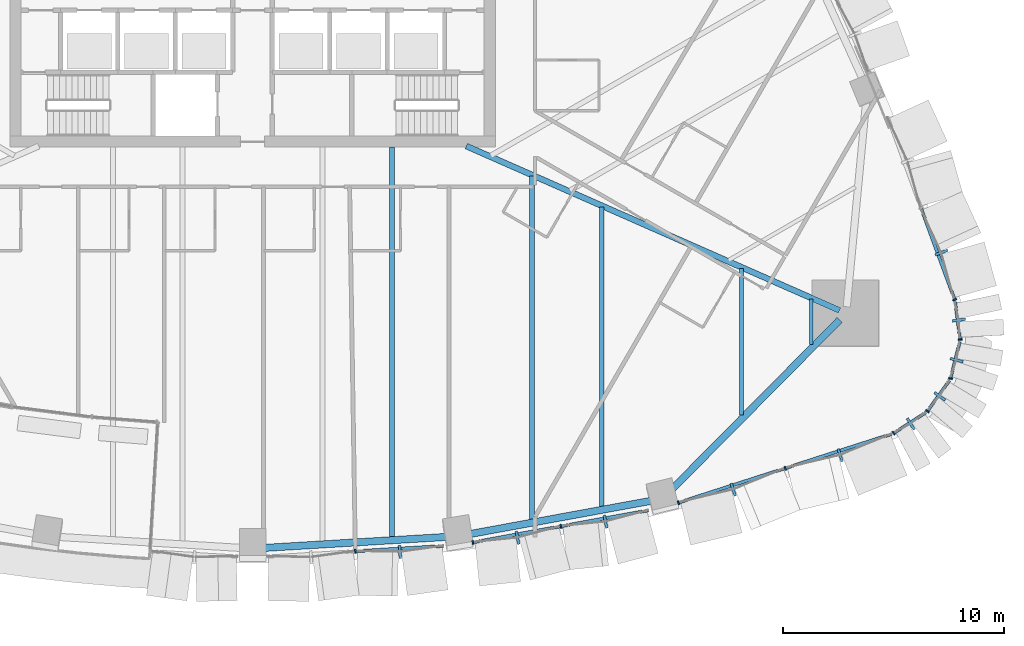
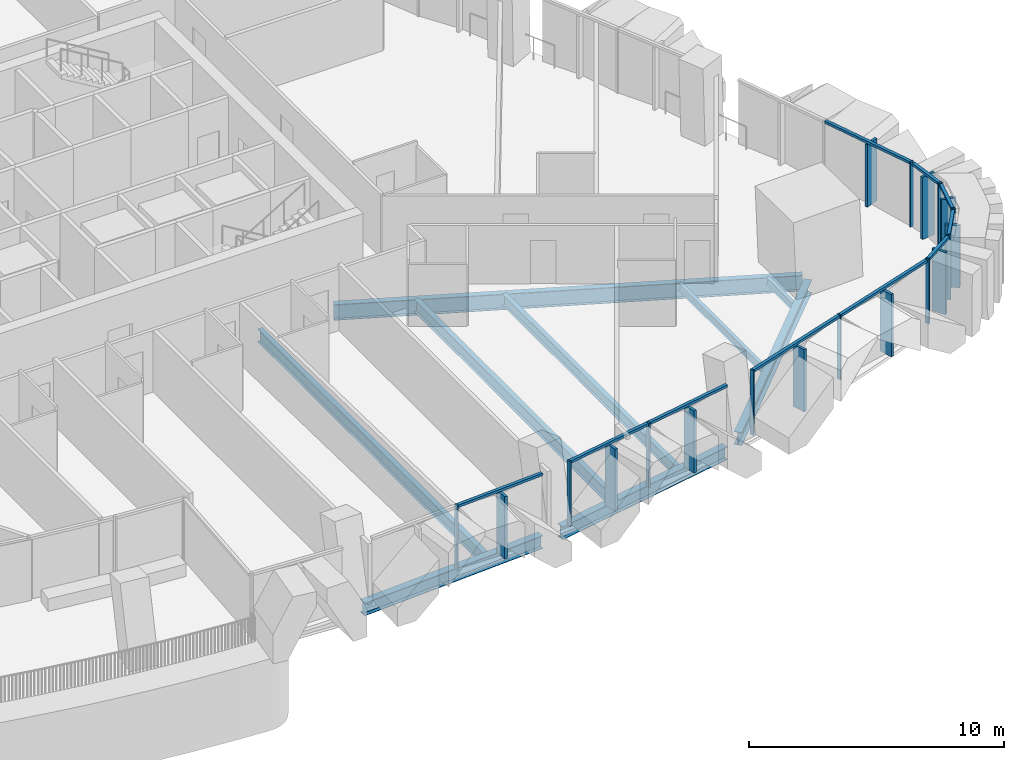
# One storey, part 4 of 24: 30 members, 9 beams, 8 elements without a shape of their own.
"""IFC4 building model written with IfcOpenShell, lengths in metres."""

from ifc_helpers import new_model, si_unit, direction, frame, origin, origin_2d, place, context, subcontext, project, spatial, rectangle, i_section, extrude, material, layer, layer_set, material_profile, profile_set, type_object, element, aggregate, save


model = new_model("IFC4")

# Units and contexts
model_context = context("Model", 3, precision=1e-05, world=origin(), true_north=direction((0.0, 1.0)))
body_context = subcontext(model_context, "Body", "Model", "MODEL_VIEW")
ifc_project = project(units=[si_unit("LENGTHUNIT", "METRE"), si_unit("AREAUNIT", "SQUARE_METRE"), si_unit("VOLUMEUNIT", "CUBIC_METRE"), si_unit("PLANEANGLEUNIT", "RADIAN"), si_unit("MASSUNIT", "GRAM", prefix="KILO")], contexts=[model_context])

# Site, building, storey
site_placement = place(None, origin())
site = spatial("IfcSite", under=ifc_project, at=site_placement, CompositionType="ELEMENT")
building_placement = place(site_placement, origin())
building = spatial("IfcBuilding", under=site, at=building_placement, Name="Sierra Prisma Convention Tower", CompositionType="ELEMENT")
storey_placement = place(building_placement, frame((0.0, 0.0, 59.10009765625)))
storey = spatial("IfcBuildingStorey", under=building, at=storey_placement, Name="L10", CompositionType="ELEMENT", Elevation=59.10009765625)

# Curtain wall, member
ifc_material_1 = material(Name="Aluminium and glass curtain wall", Category="aluminium")
ifc_layer = layer(ifc_material_1, 0.179931640625)
ifc_layer_set = layer_set([ifc_layer], Name="CW-2 Faceted crystal curtain wall")
curtain_wall_type = type_object("IfcCurtainWallType", Name="CW-2 Faceted crystal curtain wall", PredefinedType="NOTDEFINED", material=ifc_layer_set)
curtain_wall_1_placement = place(storey_placement, origin())
curtain_wall_1 = element("IfcCurtainWall", 1, at=curtain_wall_1_placement, inside=storey, type_object=curtain_wall_type, Name="CW-2 S4 L10", PredefinedType="NOTDEFINED")
ifc_material_2 = material(Name="Aluminium 6063-T6 bronze anodised", Category="aluminium")
ifc_material_profile_1 = material_profile(ifc_material_2, rectangle(XDim=0.1201171875, YDim=0.60009765625, at=origin_2d()), Name="ALU RIDGE BLADE 120x600")
ifc_profile_set_1 = profile_set([ifc_material_profile_1], Name="Aluminium 6063-T6 bronze anodised")
member_type_1 = type_object("IfcMemberType", Name="CW hip bronze", PredefinedType="MULLION", material=ifc_profile_set_1)
member_1_placement = place(storey_placement, frame((6.677734375, -26.350341796875, 0.0), z_axis=(0.0, 0.0, 1.0), x_axis=(0.998203551738, 0.059913848972, 0.0)))
member_1 = element("IfcMember", 2, at=member_1_placement, type_object=member_type_1, Name="CW-2 ridge S4.2", PredefinedType="MULLION", context=body_context, shape_type="SweptSolid", body=[
    extrude(rectangle(XDim=0.1201171875, YDim=0.60009765625, at=origin_2d()), origin(), (0.0, 0.0, 1.0), 2.97998046875),
])

# Curtain wall, members
curtain_wall_2_placement = place(storey_placement, origin())
curtain_wall_2 = element("IfcCurtainWall", 3, at=curtain_wall_2_placement, inside=storey, type_object=curtain_wall_type, Name="CW-2 S5 L10", PredefinedType="NOTDEFINED")
member_2_placement = place(storey_placement, frame((12.00830078125, -25.703857421875, 0.0), z_axis=(0.0, 0.0, 1.0), x_axis=(0.98376009957, 0.179488346403, 0.0)))
member_2 = element("IfcMember", 4, at=member_2_placement, type_object=member_type_1, Name="CW-2 ridge S5.1", PredefinedType="MULLION", context=body_context, shape_type="SweptSolid", body=[
    extrude(rectangle(XDim=0.1201171875, YDim=0.60009765625, at=origin_2d()), origin(), (0.0, 0.0, 1.0), 2.97998046875),
])
member_3_placement = place(storey_placement, frame((15.996826171875, -24.97607421875, 0.0), z_axis=(0.0, 0.0, 1.0), x_axis=(0.98376009957, 0.179488346403, 0.0)))
member_3 = element("IfcMember", 5, at=member_3_placement, type_object=member_type_1, Name="CW-2 ridge S5.2", PredefinedType="MULLION", context=body_context, shape_type="SweptSolid", body=[
    extrude(rectangle(XDim=0.1201171875, YDim=0.60009765625, at=origin_2d()), origin(), (0.0, 0.0, 1.0), 2.97998046875),
])

curtain_wall_3_placement = place(storey_placement, origin())
curtain_wall_3 = element("IfcCurtainWall", 6, at=curtain_wall_3_placement, inside=storey, type_object=curtain_wall_type, Name="CW-2 S6 L10", PredefinedType="NOTDEFINED")
member_4_placement = place(storey_placement, frame((21.784423828125, -23.522216796875, 0.0), z_axis=(0.0, 0.0, 1.0), x_axis=(0.95186807451, 0.306508023923, 0.0)))
member_4 = element("IfcMember", 7, at=member_4_placement, type_object=member_type_1, Name="CW-2 ridge S6.1", PredefinedType="MULLION", context=body_context, shape_type="SweptSolid", body=[
    extrude(rectangle(XDim=0.1201171875, YDim=0.60009765625, at=origin_2d()), origin(), (0.0, 0.0, 1.0), 2.97998046875),
])
member_5_placement = place(storey_placement, frame((26.631591796875, -21.96142578125, 0.0), z_axis=(0.0, 0.0, 1.0), x_axis=(0.95186807451, 0.306508023923, 0.0)))
member_5 = element("IfcMember", 8, at=member_5_placement, type_object=member_type_1, Name="CW-2 ridge S6.2", PredefinedType="MULLION", context=body_context, shape_type="SweptSolid", body=[
    extrude(rectangle(XDim=0.1201171875, YDim=0.60009765625, at=origin_2d()), origin(), (0.0, 0.0, 1.0), 2.97998046875),
])

# Curtain wall, member
curtain_wall_4_placement = place(storey_placement, origin())
curtain_wall_4 = element("IfcCurtainWall", 9, at=curtain_wall_4_placement, inside=storey, type_object=curtain_wall_type, Name="CW-2 SE1 L10", PredefinedType="NOTDEFINED")
member_6_placement = place(storey_placement, frame((29.83056640625, -20.5458984375, 0.0), z_axis=(0.0, 0.0, 1.0), x_axis=(0.841675472599, 0.539983702371, 0.0)))
member_6 = element("IfcMember", 10, at=member_6_placement, type_object=member_type_1, Name="CW-2 ridge SE1.1", PredefinedType="MULLION", context=body_context, shape_type="SweptSolid", body=[
    extrude(rectangle(XDim=0.1201171875, YDim=0.60009765625, at=origin_2d()), origin(), (0.0, 0.0, 1.0), 2.97998046875),
])

curtain_wall_5_placement = place(storey_placement, origin())
curtain_wall_5 = element("IfcCurtainWall", 11, at=curtain_wall_5_placement, inside=storey, type_object=curtain_wall_type, Name="CW-2 SE2 L10", PredefinedType="NOTDEFINED")
member_7_placement = place(storey_placement, frame((31.147216796875, -19.29736328125, 0.0), z_axis=(0.0, 0.0, 1.0), x_axis=(0.583933757558, 0.811801309918, 0.0)))
member_7 = element("IfcMember", 12, at=member_7_placement, type_object=member_type_1, Name="CW-2 ridge SE2.1", PredefinedType="MULLION", context=body_context, shape_type="SweptSolid", body=[
    extrude(rectangle(XDim=0.1201171875, YDim=0.60009765625, at=origin_2d()), origin(), (0.0, 0.0, 1.0), 2.97998046875),
])

curtain_wall_6_placement = place(storey_placement, origin())
curtain_wall_6 = element("IfcCurtainWall", 13, at=curtain_wall_6_placement, inside=storey, type_object=curtain_wall_type, Name="CW-2 SE3 L10", PredefinedType="NOTDEFINED")
member_8_placement = place(storey_placement, frame((31.912353515625, -17.65185546875, 0.0), z_axis=(0.0, 0.0, 1.0), x_axis=(0.244257024937, 0.969710526791, 0.0)))
member_8 = element("IfcMember", 14, at=member_8_placement, type_object=member_type_1, Name="CW-2 ridge SE3.1", PredefinedType="MULLION", context=body_context, shape_type="SweptSolid", body=[
    extrude(rectangle(XDim=0.1201171875, YDim=0.60009765625, at=origin_2d()), origin(), (0.0, 0.0, 1.0), 2.97998046875),
])

curtain_wall_7_placement = place(storey_placement, origin())
curtain_wall_7 = element("IfcCurtainWall", 15, at=curtain_wall_7_placement, inside=storey, type_object=curtain_wall_type, Name="CW-2 SE4 L10", PredefinedType="NOTDEFINED")
member_9_placement = place(storey_placement, frame((32.01806640625, -15.84033203125, 0.0), z_axis=(0.0, 0.0, 1.0), x_axis=(-0.12969277952, 0.99155422592, 0.0)))
member_9 = element("IfcMember", 16, at=member_9_placement, type_object=member_type_1, Name="CW-2 ridge SE4.1", PredefinedType="MULLION", context=body_context, shape_type="SweptSolid", body=[
    extrude(rectangle(XDim=0.1201171875, YDim=0.60009765625, at=origin_2d()), origin(), (0.0, 0.0, 1.0), 2.97998046875),
])

curtain_wall_8_placement = place(storey_placement, origin())
curtain_wall_8 = element("IfcCurtainWall", 17, at=curtain_wall_8_placement, inside=storey, type_object=curtain_wall_type, Name="CW-2 NE1 L10", PredefinedType="NOTDEFINED")
member_10_placement = place(storey_placement, frame((31.220458984375, -12.77783203125, 0.0), z_axis=(0.0, 0.0, 1.0), x_axis=(-0.344825567738, 0.938666782109, 0.0)))
member_10 = element("IfcMember", 18, at=member_10_placement, type_object=member_type_1, Name="CW-2 ridge NE1.1", PredefinedType="MULLION", context=body_context, shape_type="SweptSolid", body=[
    extrude(rectangle(XDim=0.1201171875, YDim=0.60009765625, at=origin_2d()), origin(), (0.0, 0.0, 1.0), 2.97998046875),
])

# Member
ifc_material_3 = material(Name="Aluminium 6063-T6 bronze anodised", Category="aluminium")
ifc_material_profile_2 = material_profile(ifc_material_3, rectangle(XDim=0.179931640625, YDim=0.070068359375, at=origin_2d()), Name="ALU MULLION 70x180")
ifc_profile_set_2 = profile_set([ifc_material_profile_2], Name="Aluminium 6063-T6 bronze anodised")
member_type_2 = type_object("IfcMemberType", Name="CW mullion bronze", PredefinedType="MULLION", material=ifc_profile_set_2)
member_11_placement = place(storey_placement, frame((4.656982421875, -26.315673828125, 0.0), z_axis=(0.0, 0.0, 1.0), x_axis=(-0.059913848972, 0.998203551738, 0.0)))
member_11 = element("IfcMember", 19, at=member_11_placement, type_object=member_type_2, Name="CW-1 mullion S4.2", PredefinedType="MULLION", context=body_context, shape_type="SweptSolid", body=[
    extrude(rectangle(XDim=0.179931640625, YDim=0.070068359375, at=origin_2d()), origin(), (0.0, 0.0, 1.0), 3.099853515625),
])

member_12_placement = place(storey_placement, frame((9.986083984375, -25.913330078125, 0.0), z_axis=(0.0, 0.0, 1.0), x_axis=(-0.179488346403, 0.98376009957, 0.0)))
member_12 = element("IfcMember", 20, at=member_12_placement, type_object=member_type_2, Name="CW-1 mullion S5.1", PredefinedType="MULLION", context=body_context, shape_type="SweptSolid", body=[
    extrude(rectangle(XDim=0.179931640625, YDim=0.070068359375, at=origin_2d()), origin(), (0.0, 0.0, 1.0), 3.099853515625),
])

member_13_placement = place(storey_placement, frame((13.974365234375, -25.185791015625, 0.0), z_axis=(0.0, 0.0, 1.0), x_axis=(-0.179488346403, 0.98376009957, 0.0)))
member_13 = element("IfcMember", 21, at=member_13_placement, type_object=member_type_2, Name="CW-1 mullion S5.2", PredefinedType="MULLION", context=body_context, shape_type="SweptSolid", body=[
    extrude(rectangle(XDim=0.179931640625, YDim=0.070068359375, at=origin_2d()), origin(), (0.0, 0.0, 1.0), 3.099853515625),
])

member_14_placement = place(storey_placement, frame((19.30029296875, -24.114501953125, 0.0), z_axis=(0.0, 0.0, 1.0), x_axis=(-0.306508023923, 0.95186807451, 0.0)))
member_14 = element("IfcMember", 22, at=member_14_placement, type_object=member_type_2, Name="CW-1 mullion S6.1", PredefinedType="MULLION", context=body_context, shape_type="SweptSolid", body=[
    extrude(rectangle(XDim=0.179931640625, YDim=0.070068359375, at=origin_2d()), origin(), (0.0, 0.0, 1.0), 3.099853515625),
])

member_15_placement = place(storey_placement, frame((24.1474609375, -22.5537109375, 0.0), z_axis=(0.0, 0.0, 1.0), x_axis=(-0.306508023923, 0.95186807451, 0.0)))
member_15 = element("IfcMember", 23, at=member_15_placement, type_object=member_type_2, Name="CW-1 mullion S6.2", PredefinedType="MULLION", context=body_context, shape_type="SweptSolid", body=[
    extrude(rectangle(XDim=0.179931640625, YDim=0.070068359375, at=origin_2d()), origin(), (0.0, 0.0, 1.0), 3.099853515625),
])

member_16_placement = place(storey_placement, frame((29.057373046875, -20.963134765625, 0.0), z_axis=(0.0, 0.0, 1.0), x_axis=(-0.539983702371, 0.841675472599, 0.0)))
member_16 = element("IfcMember", 24, at=member_16_placement, type_object=member_type_2, Name="CW-1 mullion SE1.1", PredefinedType="MULLION", context=body_context, shape_type="SweptSolid", body=[
    extrude(rectangle(XDim=0.179931640625, YDim=0.070068359375, at=origin_2d()), origin(), (0.0, 0.0, 1.0), 3.099853515625),
])

member_17_placement = place(storey_placement, frame((30.58203125, -19.9697265625, 0.0), z_axis=(0.0, 0.0, 1.0), x_axis=(-0.811801309918, 0.583933757558, 0.0)))
member_17 = element("IfcMember", 25, at=member_17_placement, type_object=member_type_2, Name="CW-1 mullion SE2.1", PredefinedType="MULLION", context=body_context, shape_type="SweptSolid", body=[
    extrude(rectangle(XDim=0.179931640625, YDim=0.070068359375, at=origin_2d()), origin(), (0.0, 0.0, 1.0), 3.099853515625),
])

member_18_placement = place(storey_placement, frame((31.634033203125, -18.485107421875, 0.0), z_axis=(0.0, 0.0, 1.0), x_axis=(-0.969710526791, 0.244257024937, 0.0)))
member_18 = element("IfcMember", 26, at=member_18_placement, type_object=member_type_2, Name="CW-1 mullion SE3.1", PredefinedType="MULLION", context=body_context, shape_type="SweptSolid", body=[
    extrude(rectangle(XDim=0.179931640625, YDim=0.070068359375, at=origin_2d()), origin(), (0.0, 0.0, 1.0), 3.099853515625),
])

member_19_placement = place(storey_placement, frame((32.066162109375, -16.717529296875, 0.0), z_axis=(0.0, 0.0, 1.0), x_axis=(-0.99155422592, -0.12969277952, 0.0)))
member_19 = element("IfcMember", 27, at=member_19_placement, type_object=member_type_2, Name="CW-1 mullion SE4.1", PredefinedType="MULLION", context=body_context, shape_type="SweptSolid", body=[
    extrude(rectangle(XDim=0.179931640625, YDim=0.070068359375, at=origin_2d()), origin(), (0.0, 0.0, 1.0), 3.099853515625),
])

member_20_placement = place(storey_placement, frame((31.822265625, -14.91259765625, 0.0), z_axis=(0.0, 0.0, 1.0), x_axis=(-0.938666782109, -0.344825567738, 0.0)))
member_20 = element("IfcMember", 28, at=member_20_placement, type_object=member_type_2, Name="CW-1 mullion NE1.1", PredefinedType="MULLION", context=body_context, shape_type="SweptSolid", body=[
    extrude(rectangle(XDim=0.179931640625, YDim=0.070068359375, at=origin_2d()), origin(), (0.0, 0.0, 1.0), 3.099853515625),
])

ifc_material_4 = material(Name="Aluminium 6063-T6 bronze anodised", Category="aluminium")
ifc_material_profile_3 = material_profile(ifc_material_4, rectangle(XDim=0.139892578125, YDim=0.1201171875, at=origin_2d()), Name="ALU TRANSOM 120x140")
ifc_profile_set_3 = profile_set([ifc_material_profile_3], Name="Aluminium 6063-T6 bronze anodised")
member_type_3 = type_object("IfcMemberType", Name="CW transom bronze", PredefinedType="USERDEFINED", material=ifc_profile_set_3)
member_21_placement = place(storey_placement, frame((4.69189453125, -26.3134765625, 3.039794921875), z_axis=(0.998203075939, 0.059921775557, 0.0), x_axis=(-0.059921775557, 0.998203075939, 0.0)))
member_21 = element("IfcMember", 29, at=member_21_placement, type_object=member_type_3, Name="CW-1 transom S4.2", ObjectType="TRANSOM", PredefinedType="USERDEFINED", context=body_context, shape_type="SweptSolid", body=[
    extrude(rectangle(XDim=0.139892578125, YDim=0.1201171875, at=origin_2d()), origin(), (0.0, 0.0, 1.0), 3.960205078125),
])

aggregate(curtain_wall_1, [member_11, member_21, member_1])

member_22_placement = place(storey_placement, frame((10.0205078125, -25.9072265625, 3.039794921875), z_axis=(0.983760897865, 0.179483970963, 0.0), x_axis=(-0.179483970963, 0.983760897865, 0.0)))
member_22 = element("IfcMember", 30, at=member_22_placement, type_object=member_type_3, Name="CW-1 transom S5.1", ObjectType="TRANSOM", PredefinedType="USERDEFINED", context=body_context, shape_type="SweptSolid", body=[
    extrude(rectangle(XDim=0.139892578125, YDim=0.1201171875, at=origin_2d()), origin(), (0.0, 0.0, 1.0), 3.984130859375),
])

member_23_placement = place(storey_placement, frame((14.0087890625, -25.179443359375, 3.039794921875), z_axis=(0.983760897865, 0.179483970963, 0.0), x_axis=(-0.179483970963, 0.983760897865, 0.0)))
member_23 = element("IfcMember", 31, at=member_23_placement, type_object=member_type_3, Name="CW-1 transom S5.2", ObjectType="TRANSOM", PredefinedType="USERDEFINED", context=body_context, shape_type="SweptSolid", body=[
    extrude(rectangle(XDim=0.139892578125, YDim=0.1201171875, at=origin_2d()), origin(), (0.0, 0.0, 1.0), 3.984130859375),
])

aggregate(curtain_wall_2, [member_12, member_13, member_22, member_2, member_23, member_3])

member_24_placement = place(storey_placement, frame((19.333740234375, -24.103759765625, 3.039794921875), z_axis=(0.951871135013, 0.306498519292, 0.0), x_axis=(-0.306498519292, 0.951871135013, 0.0)))
member_24 = element("IfcMember", 32, at=member_24_placement, type_object=member_type_3, Name="CW-1 transom S6.1", ObjectType="TRANSOM", PredefinedType="USERDEFINED", context=body_context, shape_type="SweptSolid", body=[
    extrude(rectangle(XDim=0.139892578125, YDim=0.1201171875, at=origin_2d()), origin(), (0.0, 0.0, 1.0), 5.022216796875),
])

member_25_placement = place(storey_placement, frame((24.180908203125, -22.54296875, 3.039794921875), z_axis=(0.951871135013, 0.306498519292, 0.0), x_axis=(-0.306498519292, 0.951871135013, 0.0)))
member_25 = element("IfcMember", 33, at=member_25_placement, type_object=member_type_3, Name="CW-1 transom S6.2", ObjectType="TRANSOM", PredefinedType="USERDEFINED", context=body_context, shape_type="SweptSolid", body=[
    extrude(rectangle(XDim=0.139892578125, YDim=0.1201171875, at=origin_2d()), origin(), (0.0, 0.0, 1.0), 5.022216796875),
])

aggregate(curtain_wall_3, [member_14, member_15, member_24, member_4, member_25, member_5])

member_26_placement = place(storey_placement, frame((29.0869140625, -20.9443359375, 3.039794921875), z_axis=(0.841701549973, 0.539943053268, 0.0), x_axis=(-0.539943053268, 0.841701549973, 0.0)))
member_26 = element("IfcMember", 34, at=member_26_placement, type_object=member_type_3, Name="CW-1 transom SE1.1", ObjectType="TRANSOM", PredefinedType="USERDEFINED", context=body_context, shape_type="SweptSolid", body=[
    extrude(rectangle(XDim=0.139892578125, YDim=0.1201171875, at=origin_2d()), origin(), (0.0, 0.0, 1.0), 1.68212890625),
])

aggregate(curtain_wall_4, [member_16, member_26, member_6])

member_27_placement = place(storey_placement, frame((30.6025390625, -19.94140625, 3.039794921875), z_axis=(0.583926117849, 0.811806805153, 0.0), x_axis=(-0.811806805153, 0.583926117849, 0.0)))
member_27 = element("IfcMember", 35, at=member_27_placement, type_object=member_type_3, Name="CW-1 transom SE2.1", ObjectType="TRANSOM", PredefinedType="USERDEFINED", context=body_context, shape_type="SweptSolid", body=[
    extrude(rectangle(XDim=0.139892578125, YDim=0.1201171875, at=origin_2d()), origin(), (0.0, 0.0, 1.0), 1.68212890625),
])

aggregate(curtain_wall_5, [member_17, member_27, member_7])

member_28_placement = place(storey_placement, frame((31.642578125, -18.451171875, 3.039794921875), z_axis=(0.244276959365, 0.969705505359, 0.0), x_axis=(-0.969705505359, 0.244276959365, 0.0)))
member_28 = element("IfcMember", 36, at=member_28_placement, type_object=member_type_3, Name="CW-1 transom SE3.1", ObjectType="TRANSOM", PredefinedType="USERDEFINED", context=body_context, shape_type="SweptSolid", body=[
    extrude(rectangle(XDim=0.139892578125, YDim=0.1201171875, at=origin_2d()), origin(), (0.0, 0.0, 1.0), 1.68212890625),
])

aggregate(curtain_wall_6, [member_18, member_28, member_8])

member_29_placement = place(storey_placement, frame((32.0615234375, -16.682861328125, 3.039794921875), z_axis=(-0.129605980476, 0.991565575151, 0.0), x_axis=(-0.991565575151, -0.129605980476, 0.0)))
member_29 = element("IfcMember", 37, at=member_29_placement, type_object=member_type_3, Name="CW-1 transom SE4.1", ObjectType="TRANSOM", PredefinedType="USERDEFINED", context=body_context, shape_type="SweptSolid", body=[
    extrude(rectangle(XDim=0.139892578125, YDim=0.1201171875, at=origin_2d()), origin(), (0.0, 0.0, 1.0), 1.68212890625),
])

aggregate(curtain_wall_7, [member_19, member_29, member_9])

member_30_placement = place(storey_placement, frame((31.810302734375, -14.879638671875, 3.039794921875), z_axis=(-0.344839651474, 0.938661608233, 0.0), x_axis=(-0.938661608233, -0.344839651474, 0.0)))
member_30 = element("IfcMember", 38, at=member_30_placement, type_object=member_type_3, Name="CW-1 transom NE1.1", ObjectType="TRANSOM", PredefinedType="USERDEFINED", context=body_context, shape_type="SweptSolid", body=[
    extrude(rectangle(XDim=0.139892578125, YDim=0.1201171875, at=origin_2d()), origin(), (0.0, 0.0, 1.0), 4.352783203125),
])

aggregate(curtain_wall_8, [member_20, member_30, member_10])

# Beams
ifc_material_5 = material(Name="Steel ASTM A992 Gr 50", Category="steel")
ifc_material_profile_4 = material_profile(ifc_material_5, i_section(OverallWidth=0.172119140625, OverallDepth=0.35791015625, WebThickness=0.0078125, FlangeThickness=0.01318359375, at=origin_2d()), Name="W360x57")
ifc_profile_set_4 = profile_set([ifc_material_profile_4], Name="Steel ASTM A992 Gr 50")
beam_type_1 = type_object("IfcBeamType", Name="Floor joist W360x57", PredefinedType="JOIST", material=ifc_profile_set_4)
beam_1_placement = place(storey_placement, frame((22.15478515625, -20.147216796875, -0.3291015625), z_axis=(0.0, 1.0, 0.0), x_axis=(-1.0, 0.0, 0.0)))
element("IfcBeam", 39, at=beam_1_placement, inside=storey, type_object=beam_type_1, Name="Floor joist L10 S16", PredefinedType="JOIST", context=body_context, shape_type="SweptSolid", body=[
    extrude(i_section(OverallWidth=0.172119140625, OverallDepth=0.35791015625, WebThickness=0.0078125, FlangeThickness=0.01318359375, at=origin_2d()), origin(), (0.0, 0.0, 1.0), 6.648193359375),
])
beam_2_placement = place(storey_placement, frame((25.319580078125, -16.94970703125, -0.3291015625), z_axis=(0.0, 1.0, 0.0), x_axis=(-1.0, 0.0, 0.0)))
element("IfcBeam", 40, at=beam_2_placement, inside=storey, type_object=beam_type_1, Name="Floor joist L10 S17", PredefinedType="JOIST", context=body_context, shape_type="SweptSolid", body=[
    extrude(i_section(OverallWidth=0.172119140625, OverallDepth=0.35791015625, WebThickness=0.0078125, FlangeThickness=0.01318359375, at=origin_2d()), origin(), (0.0, 0.0, 1.0), 2.056884765625),
])
ifc_material_6 = material(Name="Steel ASTM A992 Gr 50", Category="steel")
ifc_material_profile_5 = material_profile(ifc_material_6, i_section(OverallWidth=0.208984375, OverallDepth=0.532958984375, WebThickness=0.01025390625, FlangeThickness=0.015625, at=origin_2d()), Name="W530x92")
ifc_profile_set_5 = profile_set([ifc_material_profile_5], Name="Steel ASTM A992 Gr 50")
beam_type_2 = type_object("IfcBeamType", Name="Floor joist W530x92", PredefinedType="JOIST", material=ifc_profile_set_5)
beam_3_placement = place(storey_placement, frame((15.82470703125, -24.32373046875, -0.41650390625), z_axis=(0.0, 1.0, 0.0), x_axis=(-1.0, 0.0, 0.0)))
element("IfcBeam", 41, at=beam_3_placement, inside=storey, type_object=beam_type_2, Name="Floor joist L10 S14", PredefinedType="JOIST", context=body_context, shape_type="SweptSolid", body=[
    extrude(i_section(OverallWidth=0.208984375, OverallDepth=0.532958984375, WebThickness=0.01025390625, FlangeThickness=0.015625, at=origin_2d()), origin(), (0.0, 0.0, 1.0), 13.612548828125),
])
ifc_material_7 = material(Name="Steel ASTM A992 Gr 50", Category="steel")
ifc_material_profile_6 = material_profile(ifc_material_7, i_section(OverallWidth=0.22802734375, OverallDepth=0.60302734375, WebThickness=0.010498046875, FlangeThickness=0.014892578125, at=origin_2d()), Name="W610x101")
ifc_profile_set_6 = profile_set([ifc_material_profile_6], Name="Steel ASTM A992 Gr 50")
beam_type_3 = type_object("IfcBeamType", Name="Floor joist W610x101", PredefinedType="JOIST", material=ifc_profile_set_6)
beam_4_placement = place(storey_placement, frame((6.329833984375, -25.700439453125, -0.45166015625), z_axis=(0.0, 1.0, 0.0), x_axis=(-1.0, 0.0, 0.0)))
element("IfcBeam", 42, at=beam_4_placement, inside=storey, type_object=beam_type_3, Name="Floor joist L10 S11", PredefinedType="JOIST", context=body_context, shape_type="SweptSolid", body=[
    extrude(i_section(OverallWidth=0.22802734375, OverallDepth=0.60302734375, WebThickness=0.010498046875, FlangeThickness=0.014892578125, at=origin_2d()), origin(), (0.0, 0.0, 1.0), 17.700439453125),
])
beam_5_placement = place(storey_placement, frame((12.659912109375, -24.904052734375, -0.45166015625), z_axis=(0.0, 1.0, 0.0), x_axis=(-1.0, 0.0, 0.0)))
element("IfcBeam", 43, at=beam_5_placement, inside=storey, type_object=beam_type_3, Name="Floor joist L10 S13", PredefinedType="JOIST", context=body_context, shape_type="SweptSolid", body=[
    extrude(i_section(OverallWidth=0.22802734375, OverallDepth=0.60302734375, WebThickness=0.010498046875, FlangeThickness=0.014892578125, at=origin_2d()), origin(), (0.0, 0.0, 1.0), 15.586669921875),
])
ifc_material_8 = material(Name="Steel ASTM A992 Gr 50", Category="steel")
ifc_material_profile_7 = material_profile(ifc_material_8, i_section(OverallWidth=0.264892578125, OverallDepth=0.7529296875, WebThickness=0.01318359375, FlangeThickness=0.01708984375, at=origin_2d()), Name="W760x147")
ifc_profile_set_7 = profile_set([ifc_material_profile_7], Name="Steel ASTM A992 Gr 50")
beam_type_4 = type_object("IfcBeamType", Name="Radial girder W760x147", PredefinedType="BEAM", material=ifc_profile_set_7)
beam_6_placement = place(storey_placement, frame((26.60205078125, -15.39990234375, -0.526611328125), z_axis=(-0.915174910206, 0.403056923685, 0.0), x_axis=(-0.403056923685, -0.915174910206, 0.0)))
element("IfcBeam", 44, at=beam_6_placement, inside=storey, type_object=beam_type_4, Name="Radial girder L10 SE", PredefinedType="BEAM", context=body_context, shape_type="SweptSolid", body=[
    extrude(i_section(OverallWidth=0.264892578125, OverallDepth=0.7529296875, WebThickness=0.01318359375, FlangeThickness=0.01708984375, at=origin_2d()), origin(), (0.0, 0.0, 1.0), 18.4794921875),
])
ifc_material_9 = material(Name="Steel ASTM A992 Gr 50", Category="steel")
ifc_material_profile_8 = material_profile(ifc_material_9, i_section(OverallWidth=0.324951171875, OverallDepth=0.615966796875, WebThickness=0.013916015625, FlangeThickness=0.021484375, at=origin_2d()), Name="W610x174")
ifc_profile_set_8 = profile_set([ifc_material_profile_8], Name="Steel ASTM A992 Gr 50")
beam_type_5 = type_object("IfcBeamType", Name="Spandrel beam W610x174", PredefinedType="BEAM", material=ifc_profile_set_8)
beam_7_placement = place(storey_placement, frame((0.480224609375, -26.166015625, -0.4580078125), z_axis=(0.99818553896, 0.060213202958, 0.0), x_axis=(-0.060213202958, 0.99818553896, 0.0)))
element("IfcBeam", 45, at=beam_7_placement, inside=storey, type_object=beam_type_5, Name="Spandrel L10-04", PredefinedType="BEAM", context=body_context, shape_type="SweptSolid", body=[
    extrude(i_section(OverallWidth=0.324951171875, OverallDepth=0.615966796875, WebThickness=0.013916015625, FlangeThickness=0.021484375, at=origin_2d()), origin(), (0.0, 0.0, 1.0), 8.36865234375),
])
beam_8_placement = place(storey_placement, frame((9.787109375, -25.54638671875, -0.4580078125), z_axis=(0.983586773686, 0.180435746539, 0.0), x_axis=(-0.180435746539, 0.983586773686, 0.0)))
element("IfcBeam", 46, at=beam_8_placement, inside=storey, type_object=beam_type_5, Name="Spandrel L10-05", PredefinedType="BEAM", context=body_context, shape_type="SweptSolid", body=[
    extrude(i_section(OverallWidth=0.324951171875, OverallDepth=0.615966796875, WebThickness=0.013916015625, FlangeThickness=0.021484375, at=origin_2d()), origin(), (0.0, 0.0, 1.0), 8.466064453125),
])
beam_9_placement = place(storey_placement, frame((18.99755859375, -23.517822265625, -0.4580078125), z_axis=(0.703485422432, 0.710709687866, 0.0), x_axis=(-0.710709687866, 0.703485422432, 0.0)))
element("IfcBeam", 47, at=beam_9_placement, inside=storey, type_object=beam_type_5, Name="Spandrel L10-06", PredefinedType="BEAM", context=body_context, shape_type="SweptSolid", body=[
    extrude(i_section(OverallWidth=0.324951171875, OverallDepth=0.615966796875, WebThickness=0.013916015625, FlangeThickness=0.021484375, at=origin_2d()), origin(), (0.0, 0.0, 1.0), 10.814208984375),
])

save(model, "model.ifc")
